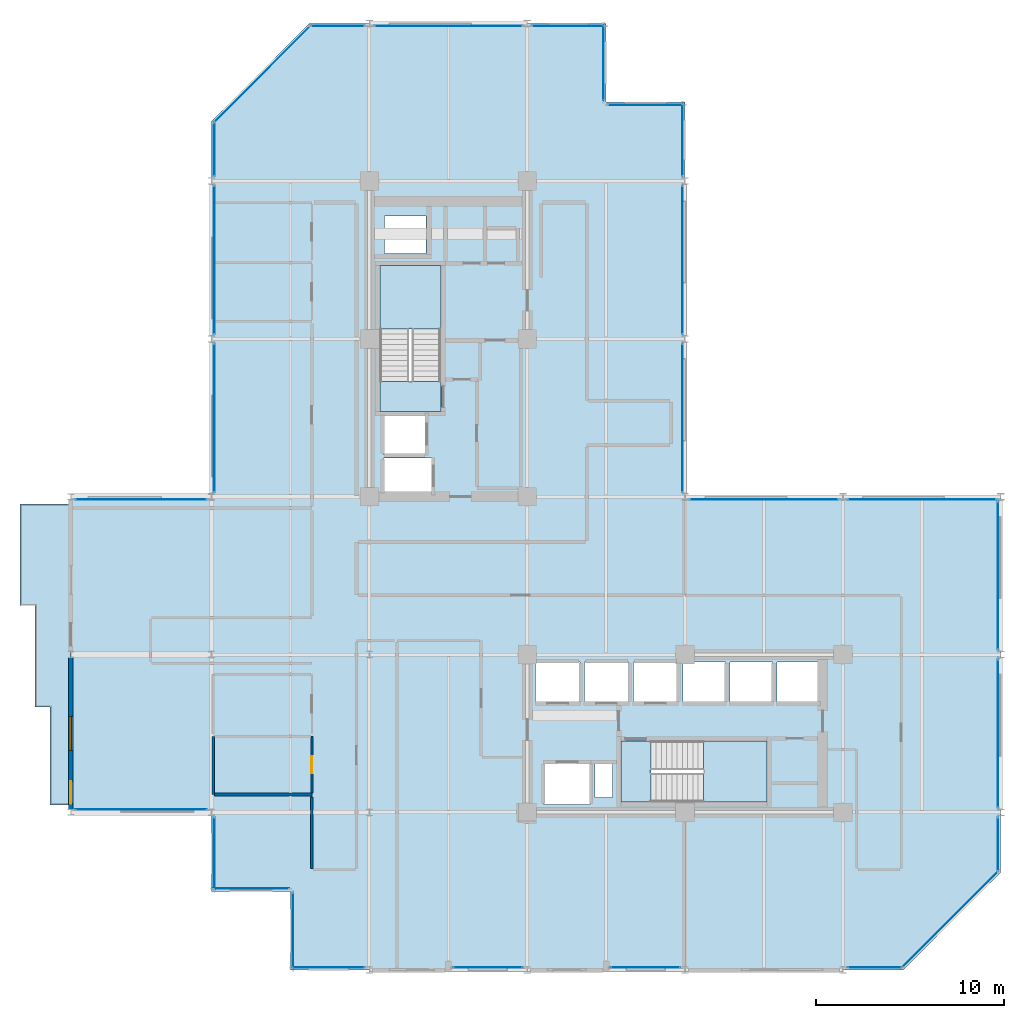
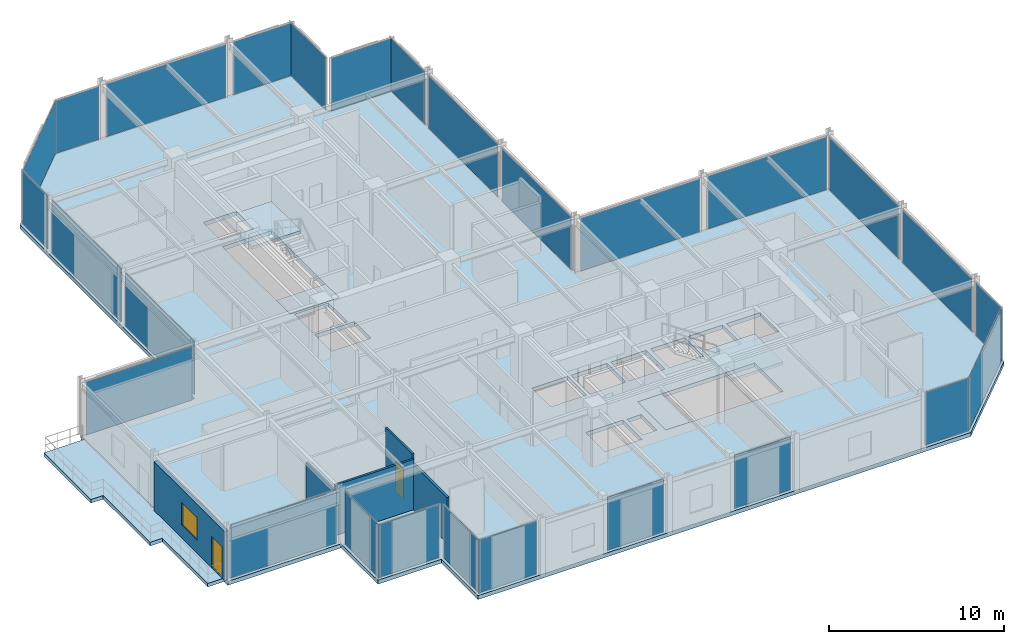
# One storey, part 23 of 29: 27 plates, 6 slabs, 5 walls, 2 doors, 1 window, 3 openings, 29 elements without a shape of their own.
"""IFC4 building model written with IfcOpenShell, lengths in metres."""

from ifc_helpers import new_model, si_unit, direction, frame, frame_2d, origin, origin_2d, place, context, subcontext, project, spatial, polyline, rectangle, outline, extrude, material, layer, layer_set, type_object, element, fill, aggregate, save


model = new_model("IFC4")

# Units and contexts
model_context = context("Model", 3, precision=1e-05, world=origin(), true_north=direction((0.0, 1.0)))
body_context = subcontext(model_context, "Body", "Model", "MODEL_VIEW")
ifc_project = project(units=[si_unit("LENGTHUNIT", "METRE"), si_unit("AREAUNIT", "SQUARE_METRE"), si_unit("VOLUMEUNIT", "CUBIC_METRE"), si_unit("PLANEANGLEUNIT", "RADIAN"), si_unit("MASSUNIT", "GRAM", prefix="KILO")], contexts=[model_context])

# Site, building, storey
site_placement = place(None, origin())
site = spatial("IfcSite", under=ifc_project, at=site_placement, CompositionType="ELEMENT")
building_placement = place(site_placement, origin())
building = spatial("IfcBuilding", under=site, at=building_placement, Name="Nerrivon Quay Data Exchange", CompositionType="ELEMENT")
storey_placement = place(building_placement, frame((0.0, 0.0, 183.699951171875)))
storey = spatial("IfcBuildingStorey", under=building, at=storey_placement, Name="L43", CompositionType="ELEMENT", Elevation=183.699951171875)

# Curtain wall, plate
ifc_material_1 = material(Name="Anodised aluminium 6063-T6", Category="aluminium")
ifc_layer_1 = layer(ifc_material_1, 0.199951171875)
ifc_layer_set_1 = layer_set([ifc_layer_1], Name="Anodised aluminium 6063-T6")
curtain_wall_type_1 = type_object("IfcCurtainWallType", Name="CW-SYS-04", PredefinedType="NOTDEFINED", material=ifc_layer_set_1)
curtain_wall_1_placement = place(storey_placement, origin())
curtain_wall_1 = element("IfcCurtainWall", 1, at=curtain_wall_1_placement, inside=storey, type_object=curtain_wall_type_1, Name="L43 Unitised Curtain Wall 3", PredefinedType="NOTDEFINED")
ifc_material_2 = material(Name="Double-glazed low-E solar control glass", Category="glass")
ifc_layer_2 = layer(ifc_material_2, 0.028076171875)
ifc_layer_set_2 = layer_set([ifc_layer_2], Name="Double-glazed low-E solar control glass")
plate_type = type_object("IfcPlateType", Name="CWP-GLZ-28", PredefinedType="CURTAIN_PANEL", material=ifc_layer_set_2)
plate_1_placement = place(storey_placement, frame((-3.759765625, 25.06005859375, 0.06494140625), z_axis=(0.0, 0.0, 1.0), x_axis=(1.0, 0.0, 0.0)))
plate_1 = element("IfcPlate", 2, at=plate_1_placement, type_object=plate_type, Name="CW04 panel 1.1", PredefinedType="CURTAIN_PANEL", context=body_context, shape_type="SweptSolid", body=[
    extrude(rectangle(XDim=7.01953125, YDim=0.028076171875, at=origin_2d()), origin(), (0.0, 0.0, 1.0), 3.695068359375),
])
aggregate(curtain_wall_1, [plate_1])

ifc_layer_3 = layer(ifc_material_1, 0.195068359375)
ifc_layer_set_3 = layer_set([ifc_layer_3], Name="Anodised aluminium 6063-T6")
curtain_wall_type_2 = type_object("IfcCurtainWallType", Name="CW-SYS-06", PredefinedType="NOTDEFINED", material=ifc_layer_set_3)
curtain_wall_2_placement = place(storey_placement, origin())
curtain_wall_2 = element("IfcCurtainWall", 3, at=curtain_wall_2_placement, inside=storey, type_object=curtain_wall_type_2, Name="L43 Unitised Curtain Wall 4", PredefinedType="NOTDEFINED")
plate_2_placement = place(storey_placement, frame((0.139892578125, 29.39990234375, 0.06494140625), z_axis=(0.0, 0.0, 1.0), x_axis=(0.0, 1.0, 0.0)))
plate_2 = element("IfcPlate", 4, at=plate_2_placement, type_object=plate_type, Name="CW06 panel 1.1", PredefinedType="CURTAIN_PANEL", context=body_context, shape_type="SweptSolid", body=[
    extrude(rectangle(XDim=7.89990234375, YDim=0.028076171875, at=origin_2d()), origin(), (0.0, 0.0, 1.0), 3.695068359375),
])
aggregate(curtain_wall_2, [plate_2])

curtain_wall_3_placement = place(storey_placement, origin())
curtain_wall_3 = element("IfcCurtainWall", 5, at=curtain_wall_3_placement, inside=storey, type_object=curtain_wall_type_2, Name="L43 Unitised Curtain Wall 5", PredefinedType="NOTDEFINED")
plate_3_placement = place(storey_placement, frame((0.139892578125, 37.800048828125, 0.06494140625), z_axis=(0.0, 0.0, 1.0), x_axis=(0.0, 1.0, 0.0)))
plate_3 = element("IfcPlate", 6, at=plate_3_placement, type_object=plate_type, Name="CW06 panel 1.1", PredefinedType="CURTAIN_PANEL", context=body_context, shape_type="SweptSolid", body=[
    extrude(rectangle(XDim=7.89990234375, YDim=0.028076171875, at=origin_2d()), origin(), (0.0, 0.0, 1.0), 3.695068359375),
])
aggregate(curtain_wall_3, [plate_3])

curtain_wall_4_placement = place(storey_placement, origin())
curtain_wall_4 = element("IfcCurtainWall", 7, at=curtain_wall_4_placement, inside=storey, type_object=curtain_wall_type_2, Name="L43 Unitised Curtain Wall 6", PredefinedType="NOTDEFINED")
plate_4_placement = place(storey_placement, frame((0.139892578125, 43.6875, 0.06494140625), z_axis=(0.0, 0.0, 1.0), x_axis=(0.0, 1.0, 0.0)))
plate_4 = element("IfcPlate", 8, at=plate_4_placement, type_object=plate_type, Name="CW06 panel 1.1", PredefinedType="CURTAIN_PANEL", context=body_context, shape_type="SweptSolid", body=[
    extrude(rectangle(XDim=2.875, YDim=0.028076171875, at=origin_2d()), origin(), (0.0, 0.0, 1.0), 3.695068359375),
])
aggregate(curtain_wall_4, [plate_4])

curtain_wall_5_placement = place(storey_placement, origin())
curtain_wall_5 = element("IfcCurtainWall", 9, at=curtain_wall_5_placement, inside=storey, type_object=curtain_wall_type_2, Name="L43 Unitised Curtain Wall 7", PredefinedType="NOTDEFINED")
plate_5_placement = place(storey_placement, frame((2.698974609375, 47.700927734375, 0.06494140625), z_axis=(0.0, 0.0, 1.0), x_axis=(0.707106781187, 0.707106781187, 0.0)))
plate_5 = element("IfcPlate", 10, at=plate_5_placement, type_object=plate_type, Name="CW06 panel 1.1", PredefinedType="CURTAIN_PANEL", context=body_context, shape_type="SweptSolid", body=[
    extrude(rectangle(XDim=7.203857421875, YDim=0.028076171875, at=origin_2d()), origin(), (0.0, 0.0, 1.0), 3.695068359375),
])
aggregate(curtain_wall_5, [plate_5])

curtain_wall_6_placement = place(storey_placement, origin())
curtain_wall_6 = element("IfcCurtainWall", 11, at=curtain_wall_6_placement, inside=storey, type_object=curtain_wall_type_2, Name="L43 Unitised Curtain Wall 8", PredefinedType="NOTDEFINED")
plate_6_placement = place(storey_placement, frame((6.71240234375, 50.260009765625, 0.06494140625), z_axis=(0.0, 0.0, 1.0), x_axis=(1.0, 0.0, 0.0)))
plate_6 = element("IfcPlate", 12, at=plate_6_placement, type_object=plate_type, Name="CW06 panel 1.1", PredefinedType="CURTAIN_PANEL", context=body_context, shape_type="SweptSolid", body=[
    extrude(rectangle(XDim=2.875, YDim=0.028076171875, at=origin_2d()), origin(), (0.0, 0.0, 1.0), 3.695068359375),
])
aggregate(curtain_wall_6, [plate_6])

curtain_wall_7_placement = place(storey_placement, origin())
curtain_wall_7 = element("IfcCurtainWall", 13, at=curtain_wall_7_placement, inside=storey, type_object=curtain_wall_type_2, Name="L43 Unitised Curtain Wall 9", PredefinedType="NOTDEFINED")
plate_7_placement = place(storey_placement, frame((12.60009765625, 50.260009765625, 0.06494140625), z_axis=(0.0, 0.0, 1.0), x_axis=(1.0, 0.0, 0.0)))
plate_7 = element("IfcPlate", 14, at=plate_7_placement, type_object=plate_type, Name="CW06 panel 1.1", PredefinedType="CURTAIN_PANEL", context=body_context, shape_type="SweptSolid", body=[
    extrude(rectangle(XDim=7.89990234375, YDim=0.028076171875, at=origin_2d()), origin(), (0.0, 0.0, 1.0), 3.695068359375),
])
aggregate(curtain_wall_7, [plate_7])

curtain_wall_8_placement = place(storey_placement, origin())
curtain_wall_8 = element("IfcCurtainWall", 15, at=curtain_wall_8_placement, inside=storey, type_object=curtain_wall_type_2, Name="L43 Unitised Curtain Wall 10", PredefinedType="NOTDEFINED")
plate_8_placement = place(storey_placement, frame((18.987548828125, 50.260009765625, 0.06494140625), z_axis=(0.0, 0.0, 1.0), x_axis=(1.0, 0.0, 0.0)))
plate_8 = element("IfcPlate", 16, at=plate_8_placement, type_object=plate_type, Name="CW06 panel 1.1", PredefinedType="CURTAIN_PANEL", context=body_context, shape_type="SweptSolid", body=[
    extrude(rectangle(XDim=3.875, YDim=0.028076171875, at=origin_2d()), origin(), (0.0, 0.0, 1.0), 3.695068359375),
])
aggregate(curtain_wall_8, [plate_8])

curtain_wall_9_placement = place(storey_placement, origin())
curtain_wall_9 = element("IfcCurtainWall", 17, at=curtain_wall_9_placement, inside=storey, type_object=curtain_wall_type_2, Name="L43 Unitised Curtain Wall 11", PredefinedType="NOTDEFINED")
plate_9_placement = place(storey_placement, frame((20.860107421875, 48.300048828125, 0.06494140625), z_axis=(0.0, 0.0, 1.0), x_axis=(0.0, -1.0, 0.0)))
plate_9 = element("IfcPlate", 18, at=plate_9_placement, type_object=plate_type, Name="CW06 panel 1.1", PredefinedType="CURTAIN_PANEL", context=body_context, shape_type="SweptSolid", body=[
    extrude(rectangle(XDim=4.050048828125, YDim=0.028076171875, at=origin_2d()), origin(), (0.0, 0.0, 1.0), 3.695068359375),
])
aggregate(curtain_wall_9, [plate_9])

curtain_wall_10_placement = place(storey_placement, origin())
curtain_wall_10 = element("IfcCurtainWall", 19, at=curtain_wall_10_placement, inside=storey, type_object=curtain_wall_type_2, Name="L43 Unitised Curtain Wall 12", PredefinedType="NOTDEFINED")
plate_10_placement = place(storey_placement, frame((23.10009765625, 46.06005859375, 0.06494140625), z_axis=(0.0, 0.0, 1.0), x_axis=(1.0, 0.0, 0.0)))
plate_10 = element("IfcPlate", 20, at=plate_10_placement, type_object=plate_type, Name="CW06 panel 1.1", PredefinedType="CURTAIN_PANEL", context=body_context, shape_type="SweptSolid", body=[
    extrude(rectangle(XDim=4.050048828125, YDim=0.028076171875, at=origin_2d()), origin(), (0.0, 0.0, 1.0), 3.695068359375),
])
aggregate(curtain_wall_10, [plate_10])

curtain_wall_11_placement = place(storey_placement, origin())
curtain_wall_11 = element("IfcCurtainWall", 21, at=curtain_wall_11_placement, inside=storey, type_object=curtain_wall_type_2, Name="L43 Unitised Curtain Wall 13", PredefinedType="NOTDEFINED")
plate_11_placement = place(storey_placement, frame((25.06005859375, 44.1875, 0.06494140625), z_axis=(0.0, 0.0, 1.0), x_axis=(0.0, -1.0, 0.0)))
plate_11 = element("IfcPlate", 22, at=plate_11_placement, type_object=plate_type, Name="CW06 panel 1.1", PredefinedType="CURTAIN_PANEL", context=body_context, shape_type="SweptSolid", body=[
    extrude(rectangle(XDim=3.875, YDim=0.028076171875, at=origin_2d()), origin(), (0.0, 0.0, 1.0), 3.695068359375),
])
aggregate(curtain_wall_11, [plate_11])

curtain_wall_12_placement = place(storey_placement, origin())
curtain_wall_12 = element("IfcCurtainWall", 23, at=curtain_wall_12_placement, inside=storey, type_object=curtain_wall_type_2, Name="L43 Unitised Curtain Wall 14", PredefinedType="NOTDEFINED")
plate_12_placement = place(storey_placement, frame((25.06005859375, 37.800048828125, 0.06494140625), z_axis=(0.0, 0.0, 1.0), x_axis=(0.0, -1.0, 0.0)))
plate_12 = element("IfcPlate", 24, at=plate_12_placement, type_object=plate_type, Name="CW06 panel 1.1", PredefinedType="CURTAIN_PANEL", context=body_context, shape_type="SweptSolid", body=[
    extrude(rectangle(XDim=7.89990234375, YDim=0.028076171875, at=origin_2d()), origin(), (0.0, 0.0, 1.0), 3.695068359375),
])
aggregate(curtain_wall_12, [plate_12])

curtain_wall_13_placement = place(storey_placement, origin())
curtain_wall_13 = element("IfcCurtainWall", 25, at=curtain_wall_13_placement, inside=storey, type_object=curtain_wall_type_2, Name="L43 Unitised Curtain Wall 15", PredefinedType="NOTDEFINED")
plate_13_placement = place(storey_placement, frame((25.06005859375, 29.39990234375, 0.06494140625), z_axis=(0.0, 0.0, 1.0), x_axis=(0.0, -1.0, 0.0)))
plate_13 = element("IfcPlate", 26, at=plate_13_placement, type_object=plate_type, Name="CW06 panel 1.1", PredefinedType="CURTAIN_PANEL", context=body_context, shape_type="SweptSolid", body=[
    extrude(rectangle(XDim=7.89990234375, YDim=0.028076171875, at=origin_2d()), origin(), (0.0, 0.0, 1.0), 3.695068359375),
])
aggregate(curtain_wall_13, [plate_13])

curtain_wall_14_placement = place(storey_placement, origin())
curtain_wall_14 = element("IfcCurtainWall", 27, at=curtain_wall_14_placement, inside=storey, type_object=curtain_wall_type_2, Name="L43 Unitised Curtain Wall 16", PredefinedType="NOTDEFINED")
plate_14_placement = place(storey_placement, frame((29.39990234375, 25.06005859375, 0.06494140625), z_axis=(0.0, 0.0, 1.0), x_axis=(1.0, 0.0, 0.0)))
plate_14 = element("IfcPlate", 28, at=plate_14_placement, type_object=plate_type, Name="CW06 panel 1.1", PredefinedType="CURTAIN_PANEL", context=body_context, shape_type="SweptSolid", body=[
    extrude(rectangle(XDim=7.89990234375, YDim=0.028076171875, at=origin_2d()), origin(), (0.0, 0.0, 1.0), 3.695068359375),
])
aggregate(curtain_wall_14, [plate_14])

curtain_wall_15_placement = place(storey_placement, origin())
curtain_wall_15 = element("IfcCurtainWall", 29, at=curtain_wall_15_placement, inside=storey, type_object=curtain_wall_type_2, Name="L43 Unitised Curtain Wall 17", PredefinedType="NOTDEFINED")
plate_15_placement = place(storey_placement, frame((37.800048828125, 25.06005859375, 0.06494140625), z_axis=(0.0, 0.0, 1.0), x_axis=(1.0, 0.0, 0.0)))
plate_15 = element("IfcPlate", 30, at=plate_15_placement, type_object=plate_type, Name="CW06 panel 1.1", PredefinedType="CURTAIN_PANEL", context=body_context, shape_type="SweptSolid", body=[
    extrude(rectangle(XDim=7.89990234375, YDim=0.028076171875, at=origin_2d()), origin(), (0.0, 0.0, 1.0), 3.695068359375),
])
aggregate(curtain_wall_15, [plate_15])

curtain_wall_16_placement = place(storey_placement, origin())
curtain_wall_16 = element("IfcCurtainWall", 31, at=curtain_wall_16_placement, inside=storey, type_object=curtain_wall_type_2, Name="L43 Unitised Curtain Wall 18", PredefinedType="NOTDEFINED")
plate_16_placement = place(storey_placement, frame((41.860107421875, 21.0, 0.06494140625), z_axis=(0.0, 0.0, 1.0), x_axis=(0.0, -1.0, 0.0)))
plate_16 = element("IfcPlate", 32, at=plate_16_placement, type_object=plate_type, Name="CW06 panel 1.1", PredefinedType="CURTAIN_PANEL", context=body_context, shape_type="SweptSolid", body=[
    extrude(rectangle(XDim=7.89990234375, YDim=0.028076171875, at=origin_2d()), origin(), (0.0, 0.0, 1.0), 3.695068359375),
])
aggregate(curtain_wall_16, [plate_16])

curtain_wall_17_placement = place(storey_placement, origin())
curtain_wall_17 = element("IfcCurtainWall", 33, at=curtain_wall_17_placement, inside=storey, type_object=curtain_wall_type_2, Name="L43 Unitised Curtain Wall 19", PredefinedType="NOTDEFINED")
plate_17_placement = place(storey_placement, frame((41.860107421875, 12.60009765625, 0.06494140625), z_axis=(0.0, 0.0, 1.0), x_axis=(0.0, -1.0, 0.0)))
plate_17 = element("IfcPlate", 34, at=plate_17_placement, type_object=plate_type, Name="CW06 panel 1.1", PredefinedType="CURTAIN_PANEL", context=body_context, shape_type="SweptSolid", body=[
    extrude(rectangle(XDim=7.89990234375, YDim=0.028076171875, at=origin_2d()), origin(), (0.0, 0.0, 1.0), 3.695068359375),
])
aggregate(curtain_wall_17, [plate_17])

curtain_wall_18_placement = place(storey_placement, origin())
curtain_wall_18 = element("IfcCurtainWall", 35, at=curtain_wall_18_placement, inside=storey, type_object=curtain_wall_type_2, Name="L43 Unitised Curtain Wall 20", PredefinedType="NOTDEFINED")
plate_18_placement = place(storey_placement, frame((41.860107421875, 6.71240234375, 0.06494140625), z_axis=(0.0, 0.0, 1.0), x_axis=(0.0, -1.0, 0.0)))
plate_18 = element("IfcPlate", 36, at=plate_18_placement, type_object=plate_type, Name="CW06 panel 1.1", PredefinedType="CURTAIN_PANEL", context=body_context, shape_type="SweptSolid", body=[
    extrude(rectangle(XDim=2.875, YDim=0.028076171875, at=origin_2d()), origin(), (0.0, 0.0, 1.0), 3.695068359375),
])
aggregate(curtain_wall_18, [plate_18])

curtain_wall_19_placement = place(storey_placement, origin())
curtain_wall_19 = element("IfcCurtainWall", 37, at=curtain_wall_19_placement, inside=storey, type_object=curtain_wall_type_2, Name="L43 Unitised Curtain Wall 21", PredefinedType="NOTDEFINED")
plate_19_placement = place(storey_placement, frame((39.301025390625, 2.698974609375, 0.06494140625), z_axis=(0.0, 0.0, 1.0), x_axis=(-0.707106781187, -0.707106781187, 0.0)))
plate_19 = element("IfcPlate", 38, at=plate_19_placement, type_object=plate_type, Name="CW06 panel 1.1", PredefinedType="CURTAIN_PANEL", context=body_context, shape_type="SweptSolid", body=[
    extrude(rectangle(XDim=7.203857421875, YDim=0.028076171875, at=origin_2d()), origin(), (0.0, 0.0, 1.0), 3.695068359375),
])
aggregate(curtain_wall_19, [plate_19])

curtain_wall_20_placement = place(storey_placement, origin())
curtain_wall_20 = element("IfcCurtainWall", 39, at=curtain_wall_20_placement, inside=storey, type_object=curtain_wall_type_2, Name="L43 Unitised Curtain Wall 22", PredefinedType="NOTDEFINED")
plate_20_placement = place(storey_placement, frame((35.28759765625, 0.139892578125, 0.06494140625), z_axis=(0.0, 0.0, 1.0), x_axis=(-1.0, 0.0, 0.0)))
plate_20 = element("IfcPlate", 40, at=plate_20_placement, type_object=plate_type, Name="CW06 panel 1.1", PredefinedType="CURTAIN_PANEL", context=body_context, shape_type="SweptSolid", body=[
    extrude(rectangle(XDim=2.875, YDim=0.028076171875, at=origin_2d()), origin(), (0.0, 0.0, 1.0), 3.695068359375),
])
aggregate(curtain_wall_20, [plate_20])

curtain_wall_21_placement = place(storey_placement, origin())
curtain_wall_21 = element("IfcCurtainWall", 41, at=curtain_wall_21_placement, inside=storey, type_object=curtain_wall_type_2, Name="L43 Unitised Curtain Wall 24", PredefinedType="NOTDEFINED")
plate_21_placement = place(storey_placement, frame((23.10009765625, 0.139892578125, 0.06494140625), z_axis=(0.0, 0.0, 1.0), x_axis=(-1.0, 0.0, 0.0)))
plate_21 = element("IfcPlate", 42, at=plate_21_placement, type_object=plate_type, Name="CW06 panel 1.1", PredefinedType="CURTAIN_PANEL", context=body_context, shape_type="SweptSolid", body=[
    extrude(rectangle(XDim=3.699951171875, YDim=0.028076171875, at=origin_2d()), origin(), (0.0, 0.0, 1.0), 3.695068359375),
])
aggregate(curtain_wall_21, [plate_21])

curtain_wall_22_placement = place(storey_placement, origin())
curtain_wall_22 = element("IfcCurtainWall", 43, at=curtain_wall_22_placement, inside=storey, type_object=curtain_wall_type_2, Name="L43 Unitised Curtain Wall 26", PredefinedType="NOTDEFINED")
plate_22_placement = place(storey_placement, frame((14.699951171875, 0.139892578125, 0.06494140625), z_axis=(0.0, 0.0, 1.0), x_axis=(-1.0, 0.0, 0.0)))
plate_22 = element("IfcPlate", 44, at=plate_22_placement, type_object=plate_type, Name="CW06 panel 1.1", PredefinedType="CURTAIN_PANEL", context=body_context, shape_type="SweptSolid", body=[
    extrude(rectangle(XDim=3.699951171875, YDim=0.028076171875, at=origin_2d()), origin(), (0.0, 0.0, 1.0), 3.695068359375),
])
aggregate(curtain_wall_22, [plate_22])

curtain_wall_23_placement = place(storey_placement, origin())
curtain_wall_23 = element("IfcCurtainWall", 45, at=curtain_wall_23_placement, inside=storey, type_object=curtain_wall_type_2, Name="L43 Unitised Curtain Wall 28", PredefinedType="NOTDEFINED")
plate_23_placement = place(storey_placement, frame((6.21240234375, 0.139892578125, 0.06494140625), z_axis=(0.0, 0.0, 1.0), x_axis=(-1.0, 0.0, 0.0)))
plate_23 = element("IfcPlate", 46, at=plate_23_placement, type_object=plate_type, Name="CW06 panel 1.1", PredefinedType="CURTAIN_PANEL", context=body_context, shape_type="SweptSolid", body=[
    extrude(rectangle(XDim=3.875, YDim=0.028076171875, at=origin_2d()), origin(), (0.0, 0.0, 1.0), 3.695068359375),
])
aggregate(curtain_wall_23, [plate_23])

curtain_wall_24_placement = place(storey_placement, origin())
curtain_wall_24 = element("IfcCurtainWall", 47, at=curtain_wall_24_placement, inside=storey, type_object=curtain_wall_type_2, Name="L43 Unitised Curtain Wall 29", PredefinedType="NOTDEFINED")
plate_24_placement = place(storey_placement, frame((4.340087890625, 2.10009765625, 0.06494140625), z_axis=(0.0, 0.0, 1.0), x_axis=(0.0, 1.0, 0.0)))
plate_24 = element("IfcPlate", 48, at=plate_24_placement, type_object=plate_type, Name="CW06 panel 1.1", PredefinedType="CURTAIN_PANEL", context=body_context, shape_type="SweptSolid", body=[
    extrude(rectangle(XDim=4.050048828125, YDim=0.028076171875, at=origin_2d()), origin(), (0.0, 0.0, 1.0), 3.695068359375),
])
aggregate(curtain_wall_24, [plate_24])

curtain_wall_25_placement = place(storey_placement, origin())
curtain_wall_25 = element("IfcCurtainWall", 49, at=curtain_wall_25_placement, inside=storey, type_object=curtain_wall_type_2, Name="L43 Unitised Curtain Wall 30", PredefinedType="NOTDEFINED")
plate_25_placement = place(storey_placement, frame((2.10009765625, 4.340087890625, 0.06494140625), z_axis=(0.0, 0.0, 1.0), x_axis=(-1.0, 0.0, 0.0)))
plate_25 = element("IfcPlate", 50, at=plate_25_placement, type_object=plate_type, Name="CW06 panel 1.1", PredefinedType="CURTAIN_PANEL", context=body_context, shape_type="SweptSolid", body=[
    extrude(rectangle(XDim=4.050048828125, YDim=0.028076171875, at=origin_2d()), origin(), (0.0, 0.0, 1.0), 3.695068359375),
])
aggregate(curtain_wall_25, [plate_25])

curtain_wall_26_placement = place(storey_placement, origin())
curtain_wall_26 = element("IfcCurtainWall", 51, at=curtain_wall_26_placement, inside=storey, type_object=curtain_wall_type_2, Name="L43 Unitised Curtain Wall 31", PredefinedType="NOTDEFINED")
plate_26_placement = place(storey_placement, frame((0.139892578125, 6.21240234375, 0.06494140625), z_axis=(0.0, 0.0, 1.0), x_axis=(0.0, 1.0, 0.0)))
plate_26 = element("IfcPlate", 52, at=plate_26_placement, type_object=plate_type, Name="CW06 panel 1.1", PredefinedType="CURTAIN_PANEL", context=body_context, shape_type="SweptSolid", body=[
    extrude(rectangle(XDim=3.875, YDim=0.028076171875, at=origin_2d()), origin(), (0.0, 0.0, 1.0), 3.695068359375),
])
aggregate(curtain_wall_26, [plate_26])

curtain_wall_27_placement = place(storey_placement, origin())
curtain_wall_27 = element("IfcCurtainWall", 53, at=curtain_wall_27_placement, inside=storey, type_object=curtain_wall_type_1, Name="L43 Unitised Curtain Wall 32", PredefinedType="NOTDEFINED")
plate_27_placement = place(storey_placement, frame((-3.759765625, 8.5400390625, 0.06494140625), z_axis=(0.0, 0.0, 1.0), x_axis=(-1.0, 0.0, 0.0)))
plate_27 = element("IfcPlate", 54, at=plate_27_placement, type_object=plate_type, Name="CW04 panel 1.1", PredefinedType="CURTAIN_PANEL", context=body_context, shape_type="SweptSolid", body=[
    extrude(rectangle(XDim=7.01953125, YDim=0.028076171875, at=origin_2d()), origin(), (0.0, 0.0, 1.0), 3.695068359375),
])
aggregate(curtain_wall_27, [plate_27])

# Slab
ifc_material_3 = material(Name="Precast white architectural concrete N50 (50 MPa)", Category="concrete")
ifc_layer_4 = layer(ifc_material_3, 0.25)
ifc_layer_set_4 = layer_set([ifc_layer_4], Name="Precast white architectural concrete N50 (50 MPa)")
slab_type_1 = type_object("IfcSlabType", Name="SLB-BAL-250", PredefinedType="FLOOR", material=ifc_layer_set_4)
slab_1_placement = place(storey_placement, frame((0.0, 0.0, -0.25)))
element("IfcSlab", 55, at=slab_1_placement, inside=storey, type_object=slab_type_1, Name="L43 West Hooked Drifting Verandah", PredefinedType="FLOOR", context=body_context, shape_type="SweptSolid", body=[
    extrude(outline(polyline([(-7.5, 14.0), (-7.5, 19.39990234375), (-7.5, 24.800048828125), (-10.199951171875, 24.800048828125), (-10.199951171875, 19.39990234375), (-9.39990234375, 19.39990234375), (-9.39990234375, 14.0), (-8.60009765625, 14.0), (-8.60009765625, 8.800048828125), (-7.5, 8.800048828125), (-7.5, 14.0)])), origin(), (0.0, 0.0, 1.0), 0.25),
])

# Stair, slab
ifc_material_4 = material(Name="Concrete N50 (50 MPa)", Category="concrete")
stair_type = type_object("IfcStairType", Name="STAIR-DOG-41", PredefinedType="HALF_TURN_STAIR", material=ifc_material_4)
stair_1_placement = place(storey_placement, origin())
stair_1 = element("IfcStair", 56, at=stair_1_placement, inside=storey, type_object=stair_type, Name="L43 West Core Fire Stair ST01", PredefinedType="HALF_TURN_STAIR")
ifc_layer_5 = layer(ifc_material_4, 0.199951171875)
ifc_layer_set_5 = layer_set([ifc_layer_5], Name="Concrete N50 (50 MPa)")
slab_type_2 = type_object("IfcSlabType", Name="SLB-LAND-200", PredefinedType="LANDING", material=ifc_layer_set_5)
slab_2_placement = place(storey_placement, frame((0.0, 0.0, 1.85009765625)))
slab_2 = element("IfcSlab", 57, at=slab_2_placement, type_object=slab_type_2, Name="ST01 landing 1", PredefinedType="LANDING", context=body_context, shape_type="SweptSolid", body=[
    extrude(outline(polyline([(12.199951171875, 34.1298828125), (12.199951171875, 37.5), (8.949951171875, 37.5), (8.949951171875, 34.1298828125), (12.199951171875, 34.1298828125)])), origin(), (0.0, 0.0, 1.0), 0.199951171875),
])
aggregate(stair_1, [slab_2])

# Slab
slab_3_placement = place(storey_placement, frame((0.0, 0.0, -0.199951171875)))
element("IfcSlab", 58, at=slab_3_placement, inside=storey, type_object=slab_type_2, Name="L43 ST01 floor landing", PredefinedType="LANDING", context=body_context, shape_type="SweptSolid", body=[
    extrude(outline(polyline([(12.199951171875, 29.75), (12.199951171875, 31.330078125), (8.949951171875, 31.330078125), (8.949951171875, 29.75), (12.199951171875, 29.75)])), origin(), (0.0, 0.0, 1.0), 0.199951171875),
])

# Stair, slab
stair_2_placement = place(storey_placement, origin())
stair_2 = element("IfcStair", 59, at=stair_2_placement, inside=storey, type_object=stair_type, Name="L43 East Core Fire Stair ST02", PredefinedType="HALF_TURN_STAIR")
slab_4_placement = place(storey_placement, frame((0.0, 0.0, 1.85009765625)))
slab_4 = element("IfcSlab", 60, at=slab_4_placement, type_object=slab_type_2, Name="ST02 landing 1", PredefinedType="LANDING", context=body_context, shape_type="SweptSolid", body=[
    extrude(outline(polyline([(26.179931640625, 8.949951171875), (29.550048828125, 8.949951171875), (29.550048828125, 12.199951171875), (26.179931640625, 12.199951171875), (26.179931640625, 8.949951171875)])), origin(), (0.0, 0.0, 1.0), 0.199951171875),
])
aggregate(stair_2, [slab_4])

# Slabs
slab_5_placement = place(storey_placement, frame((0.0, 0.0, -0.199951171875)))
element("IfcSlab", 61, at=slab_5_placement, inside=storey, type_object=slab_type_2, Name="L43 ST02 floor landing", PredefinedType="LANDING", context=body_context, shape_type="SweptSolid", body=[
    extrude(outline(polyline([(21.800048828125, 8.949951171875), (23.3798828125, 8.949951171875), (23.3798828125, 12.199951171875), (21.800048828125, 12.199951171875), (21.800048828125, 8.949951171875)])), origin(), (0.0, 0.0, 1.0), 0.199951171875),
])
ifc_layer_6 = layer(ifc_material_4, 0.27490234375)
ifc_layer_set_6 = layer_set([ifc_layer_6], Name="Concrete N50 (50 MPa)")
slab_type_3 = type_object("IfcSlabType", Name="SLB-TOW-275", PredefinedType="FLOOR", material=ifc_layer_set_6)
slab_6_placement = place(storey_placement, frame((0.0, 0.0, -0.27490234375)))
element("IfcSlab", 62, at=slab_6_placement, inside=storey, type_object=slab_type_3, Name="L43 Primary Structural Slab", PredefinedType="FLOOR", context=body_context, shape_type="SweptSolid", body=[
    extrude(outline(polyline([(0.0, 8.39990234375), (0.0, 4.199951171875), (4.199951171875, 4.199951171875), (4.199951171875, 0.0), (36.800048828125, 0.0), (42.0, 5.199951171875), (42.0, 25.199951171875), (25.199951171875, 25.199951171875), (25.199951171875, 46.199951171875), (21.0, 46.199951171875), (21.0, 50.39990234375), (5.199951171875, 50.39990234375), (0.0, 45.199951171875), (0.0, 25.199951171875), (-7.5, 25.199951171875), (-7.5, 8.39990234375), (0.0, 8.39990234375)]), holes=[polyline([(8.949951171875, 29.75), (8.949951171875, 37.5), (12.199951171875, 37.5), (12.199951171875, 29.75), (8.949951171875, 29.75)]), polyline([(21.800048828125, 12.199951171875), (29.550048828125, 12.199951171875), (29.550048828125, 8.949951171875), (21.800048828125, 8.949951171875), (21.800048828125, 12.199951171875)]), polyline([(30.10009765625, 16.39990234375), (32.35009765625, 16.39990234375), (32.35009765625, 14.25), (30.10009765625, 14.25), (30.10009765625, 16.39990234375)]), polyline([(27.60009765625, 16.39990234375), (29.85009765625, 16.39990234375), (29.85009765625, 14.25), (27.60009765625, 14.25), (27.60009765625, 16.39990234375)]), polyline([(25.10009765625, 14.25), (25.10009765625, 16.39990234375), (27.35009765625, 16.39990234375), (27.35009765625, 14.25), (25.10009765625, 14.25)]), polyline([(22.449951171875, 16.39990234375), (24.800048828125, 16.39990234375), (24.800048828125, 14.25), (22.449951171875, 14.25), (22.449951171875, 16.39990234375)]), polyline([(19.85009765625, 16.39990234375), (22.199951171875, 16.39990234375), (22.199951171875, 14.25), (19.85009765625, 14.25), (19.85009765625, 16.39990234375)]), polyline([(20.39990234375, 9.199951171875), (20.39990234375, 11.0), (21.35009765625, 11.0), (21.35009765625, 9.199951171875), (20.39990234375, 9.199951171875)]), polyline([(17.699951171875, 8.830078125), (17.699951171875, 11.030029296875), (20.14990234375, 11.030029296875), (20.14990234375, 8.830078125), (17.699951171875, 8.830078125)]), polyline([(17.25, 14.25), (17.25, 16.39990234375), (19.60009765625, 16.39990234375), (19.60009765625, 14.25), (17.25, 14.25)]), polyline([(9.14990234375, 27.25), (11.75, 27.25), (11.75, 25.35009765625), (9.14990234375, 25.35009765625), (9.14990234375, 27.25)]), polyline([(9.14990234375, 29.60009765625), (11.39990234375, 29.60009765625), (11.39990234375, 27.449951171875), (9.14990234375, 27.449951171875), (9.14990234375, 29.60009765625)]), polyline([(9.199951171875, 38.14990234375), (9.199951171875, 40.14990234375), (11.39990234375, 40.14990234375), (11.39990234375, 38.14990234375), (9.199951171875, 38.14990234375)])]), origin(), (0.0, 0.0, 1.0), 0.27490234375),
])

# Wall, openings, door, window
ifc_material_5 = material(Name="Architectural terracotta precast concrete N50 (50 MPa)", Category="masonry")
ifc_layer_7 = layer(ifc_material_5, 0.239990234375)
ifc_layer_set_7 = layer_set([ifc_layer_7], Name="Architectural terracotta precast concrete N50 (50 MPa)")
wall_type_1 = type_object("IfcWallType", Name="EW-PREC-240", PredefinedType="STANDARD", material=ifc_layer_set_7)
wall_1_placement = place(storey_placement, frame((-7.5, 8.5634765625, 0.0), z_axis=(0.0, 0.0, 1.0), x_axis=(0.0, 1.0, 0.0)))
wall_1 = element("IfcWall", 63, at=wall_1_placement, inside=storey, type_object=wall_type_1, Name="L43 Terrace Host Wall 1", PredefinedType="STANDARD", context=body_context, shape_type="SweptSolid", body=[
    extrude(rectangle(XDim=8.072998046875, YDim=0.239990234375, at=frame_2d((4.03662109375, 0.0))), origin(), (0.0, 0.0, 1.0), 3.422119140625),
])
opening_1_placement = place(wall_1_placement, frame((0.300048828125, 0.0, 0.0)))
opening_1 = element("IfcOpeningElement", 64, at=opening_1_placement, cuts=wall_1, Name="Opening TD1", PredefinedType="OPENING", context=body_context, shape_type="SweptSolid", body=[
    extrude(rectangle(XDim=1.199951171875, YDim=2.199951171875, at=frame_2d((0.60009765625, 1.10009765625))), frame((0.0, 0.1298828125, 0.0), z_axis=(0.0, -1.0, 0.0), x_axis=(1.0, 0.0, 0.0)), (0.0, 0.0, 1.0), 0.260009765625),
])
opening_2_placement = place(wall_1_placement, frame((3.136474609375, 0.0, 0.89990234375)))
opening_2 = element("IfcOpeningElement", 65, at=opening_2_placement, cuts=wall_1, Name="Opening WN2", PredefinedType="OPENING", context=body_context, shape_type="SweptSolid", body=[
    extrude(rectangle(XDim=1.800048828125, YDim=1.60009765625, at=frame_2d((0.89990234375, 0.800048828125))), frame((0.0, 0.1298828125, 0.0), z_axis=(0.0, -1.0, 0.0), x_axis=(1.0, 0.0, 0.0)), (0.0, 0.0, 1.0), 0.260009765625),
])
door_type_1 = type_object("IfcDoorType", Name="DR-TERR-1200x2200", OperationType="NOTDEFINED", PredefinedType="DOOR", material=ifc_material_2)
door_1_placement = place(opening_1_placement, origin())
door_1 = element("IfcDoor", 66, at=door_1_placement, inside=storey, type_object=door_type_1, Name="L43 Outdoor Terrace Access Door 1", OperationType="SINGLE_SWING_RIGHT", OverallHeight=2.199951171875, OverallWidth=1.199951171875, PredefinedType="DOOR", context=body_context, shape_type="SweptSolid", body=[
    extrude(rectangle(XDim=1.199951171875, YDim=2.199951171875, at=frame_2d((0.60009765625, 1.10009765625))), frame((0.0, 0.02490234375, 0.0), z_axis=(0.0, -1.0, 0.0), x_axis=(1.0, 0.0, 0.0)), (0.0, 0.0, 1.0), 0.050048828125),
])
fill(opening_1, door_1)
window_type = type_object("IfcWindowType", Name="WIN-W2-1800x1600", PartitioningType="SINGLE_PANEL", PredefinedType="WINDOW", material=ifc_material_2)
window_placement = place(opening_2_placement, origin())
window = element("IfcWindow", 67, at=window_placement, inside=storey, type_object=window_type, Name="L43 Terrace Side Window 1", OverallHeight=1.60009765625, OverallWidth=1.800048828125, PartitioningType="SINGLE_PANEL", PredefinedType="WINDOW", context=body_context, shape_type="SweptSolid", body=[
    extrude(rectangle(XDim=1.800048828125, YDim=1.60009765625, at=frame_2d((0.89990234375, 0.800048828125))), frame((0.0, 0.030029296875, 0.0), z_axis=(0.0, -1.0, 0.0), x_axis=(1.0, 0.0, 0.0)), (0.0, 0.0, 1.0), 0.06005859375),
])
fill(opening_2, window)

# Wall
ifc_material_6 = material(Name="Gypsum plasterboard on cold-formed framing", Category="gypsum")
ifc_layer_8 = layer(ifc_material_6, 0.1201171875)
ifc_layer_set_8 = layer_set([ifc_layer_8], Name="Gypsum plasterboard on cold-formed framing")
wall_type_2 = type_object("IfcWallType", Name="WALL-PT-120", PredefinedType="PARTITIONING", material=ifc_layer_set_8)
wall_2_placement = place(storey_placement, frame((0.080078125, 12.449951171875, 0.0), z_axis=(0.0, 0.0, 1.0), x_axis=(0.0, -1.0, 0.0)))
element("IfcWall", 68, at=wall_2_placement, inside=storey, type_object=wall_type_2, Name="L43 Partition Accessible Toilet", PredefinedType="PARTITIONING", context=body_context, shape_type="SweptSolid", body=[
    extrude(rectangle(XDim=3.099853515625, YDim=0.1201171875, at=frame_2d((1.5498046875, 0.0))), origin(), (0.0, 0.0, 1.0), 3.22314453125),
])

# Wall, opening, door
wall_3_placement = place(storey_placement, frame((5.340087890625, 9.42138671875, 0.0), z_axis=(0.0, 0.0, 1.0), x_axis=(0.0, 1.0, 0.0)))
wall_3 = element("IfcWall", 69, at=wall_3_placement, inside=storey, type_object=wall_type_2, Name="L43 Partition Accessible Toilet", PredefinedType="PARTITIONING", context=body_context, shape_type="SweptSolid", body=[
    extrude(rectangle(XDim=3.028564453125, YDim=0.1201171875, at=frame_2d((1.51416015625, 0.0))), origin(), (0.0, 0.0, 1.0), 3.824951171875),
])
opening_3_placement = place(wall_3_placement, frame((1.05419921875, 0.0, 0.0)))
opening_3 = element("IfcOpeningElement", 70, at=opening_3_placement, cuts=wall_3, Name="Opening D-WC", PredefinedType="OPENING", context=body_context, shape_type="SweptSolid", body=[
    extrude(rectangle(XDim=0.919921875, YDim=2.10009765625, at=frame_2d((0.4599609375, 1.050048828125))), frame((0.0, 0.070068359375, 0.0), z_axis=(0.0, -1.0, 0.0), x_axis=(1.0, 0.0, 0.0)), (0.0, 0.0, 1.0), 0.14013671875),
])
ifc_material_7 = material(Name="Engineered hardwood timber", Category="wood")
door_type_2 = type_object("IfcDoorType", Name="DR-WC-920", OperationType="NOTDEFINED", PredefinedType="DOOR", material=ifc_material_7)
door_2_placement = place(opening_3_placement, origin())
door_2 = element("IfcDoor", 71, at=door_2_placement, inside=storey, type_object=door_type_2, Name="L43 Door Accessible Toilet", OperationType="SINGLE_SWING_RIGHT", OverallHeight=2.10009765625, OverallWidth=0.919921875, PredefinedType="DOOR", context=body_context, shape_type="SweptSolid", body=[
    extrude(rectangle(XDim=0.919921875, YDim=2.10009765625, at=frame_2d((0.4599609375, 1.050048828125))), frame((0.0, 0.02490234375, 0.0), z_axis=(0.0, -1.0, 0.0), x_axis=(1.0, 0.0, 0.0)), (0.0, 0.0, 1.0), 0.050048828125),
])
fill(opening_3, door_2)

# Walls
ifc_layer_9 = layer(ifc_material_6, 0.135009765625)
ifc_layer_set_9 = layer_set([ifc_layer_9], Name="Gypsum plasterboard on cold-formed framing")
wall_type_3 = type_object("IfcWallType", Name="WALL-PT-135", PredefinedType="PARTITIONING", material=ifc_layer_set_9)
wall_4_placement = place(storey_placement, frame((0.14404296875, 9.35009765625, 0.0), z_axis=(0.0, 0.0, 1.0), x_axis=(1.0, 0.0, 0.0)))
element("IfcWall", 72, at=wall_4_placement, inside=storey, type_object=wall_type_3, Name="L43 Partition Accessible Toilet", PredefinedType="PARTITIONING", context=body_context, shape_type="SweptSolid", body=[
    extrude(rectangle(XDim=5.196044921875, YDim=0.135009765625, at=frame_2d((2.59814453125, 0.0))), origin(), (0.0, 0.0, 1.0), 3.51806640625),
])
wall_5_placement = place(storey_placement, frame((5.340087890625, 5.39990234375, 0.0), z_axis=(0.0, 0.0, 1.0), x_axis=(0.0, 1.0, 0.0)))
element("IfcWall", 73, at=wall_5_placement, inside=storey, type_object=wall_type_3, Name="L43 Partition Peering Huddle Meeting Room", PredefinedType="PARTITIONING", context=body_context, shape_type="SweptSolid", body=[
    extrude(rectangle(XDim=3.830078125, YDim=0.135009765625, at=frame_2d((1.9150390625, 0.0))), origin(), (0.0, 0.0, 1.0), 3.213134765625),
])

save(model, "model.ifc")
